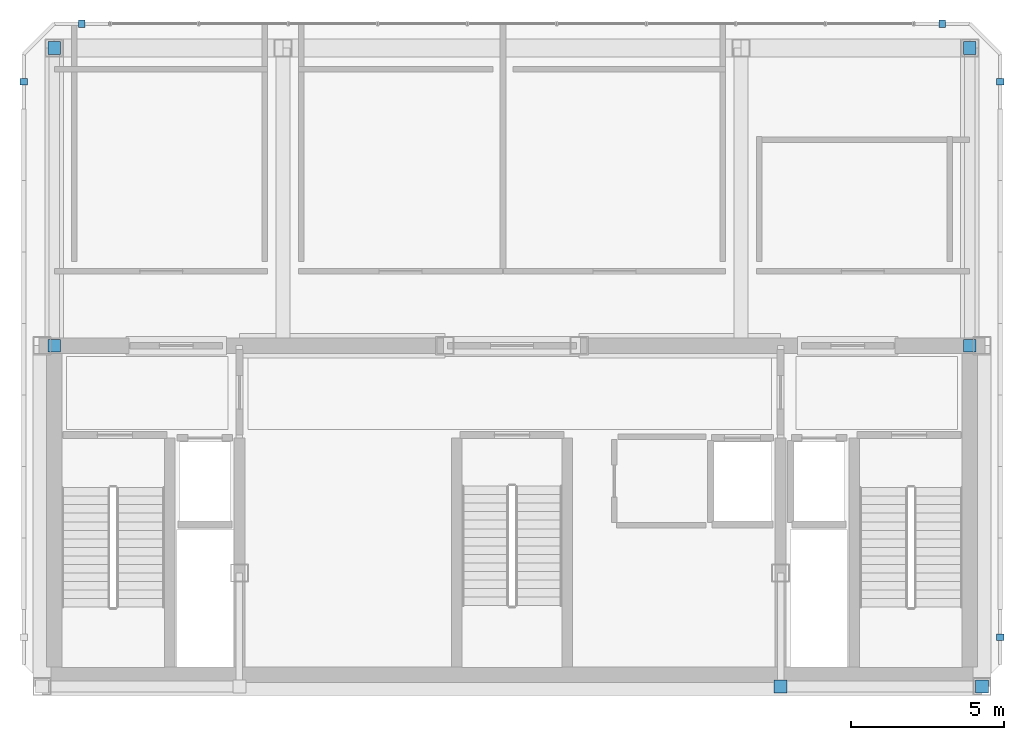
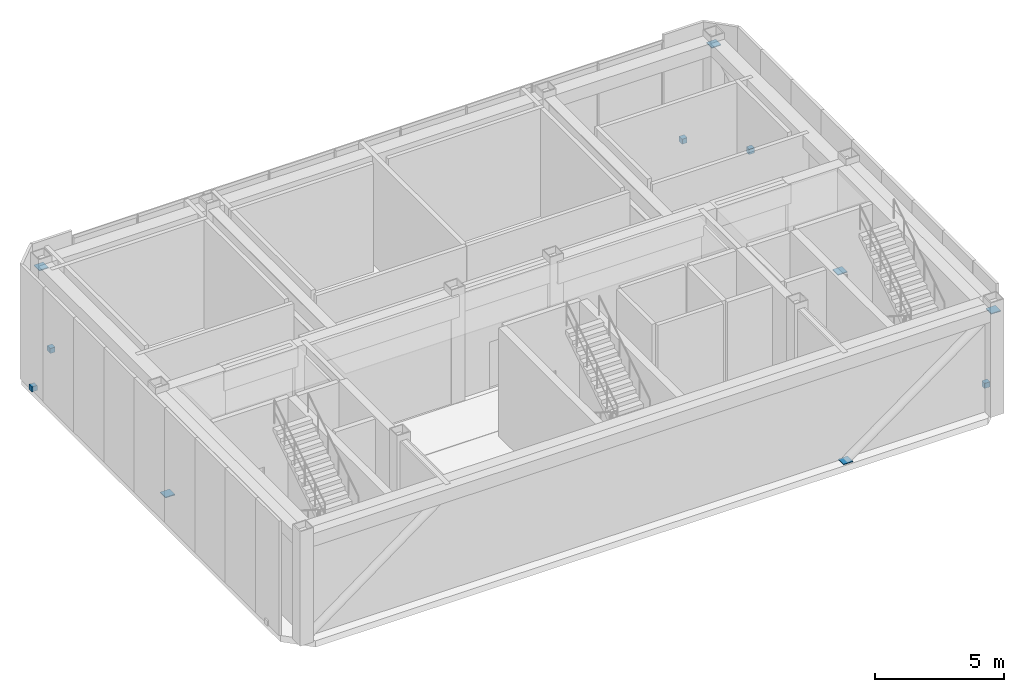
# One storey, part 9 of 10: 11 discrete accessories.
"""IFC4 building model written with IfcOpenShell, lengths in metres."""

from ifc_helpers import new_model, si_unit, direction, frame, origin, origin_2d, place, context, subcontext, project, spatial, rectangle, extrude, material, type_object, element, save


model = new_model("IFC4")

# Units and contexts
model_context = context("Model", 3, precision=1e-05, world=origin(), true_north=direction((0.0, 1.0)))
body_context = subcontext(model_context, "Body", "Model", "MODEL_VIEW")
ifc_project = project(units=[si_unit("LENGTHUNIT", "METRE"), si_unit("AREAUNIT", "SQUARE_METRE"), si_unit("VOLUMEUNIT", "CUBIC_METRE"), si_unit("PLANEANGLEUNIT", "RADIAN"), si_unit("MASSUNIT", "GRAM", prefix="KILO")], contexts=[model_context])

# Site, building, storey
site_placement = place(None, origin())
site = spatial("IfcSite", under=ifc_project, at=site_placement, CompositionType="ELEMENT")
building_placement = place(site_placement, origin())
building = spatial("IfcBuilding", under=site, at=building_placement, Name="Ventersveld Concourse Tower", CompositionType="ELEMENT")
storey_placement = place(building_placement, frame((0.0, 0.0, 382.85009765625)))
storey = spatial("IfcBuildingStorey", under=building, at=storey_placement, Name="L93", CompositionType="ELEMENT", Elevation=382.85009765625)

# Discrete accessories
ifc_material = material(Name="Structural steel S355J2", Category="steel")
discrete_accessory_type_1 = type_object("IfcDiscreteAccessoryType", Name="BRK-FACADE-150", PredefinedType="BRACKET", material=ifc_material)
for number, where, z_axis, x_axis, name in (
    (1, (44.75, 1.89990234375, 0.0), (0.0, 0.0, 1.0), (0.0, 1.0, 0.0), "L93 Crown Cladding Support Bracket E3-P1"),
    (2, (44.75, 20.10009765625, 0.0), (0.0, 0.0, 1.0), (0.0, 1.0, 0.0), "L93 Crown Cladding Support Bracket E3-P2"),
    (3, (42.85009765625, 22.0, 0.0), (0.0, 0.0, 1.0), (-1.0, 0.0, 0.0), "L93 Crown Cladding Support Bracket E5-P1"),
    (4, (14.64990234375, 22.0, 0.0), (0.0, 0.0, 1.0), (-1.0, 0.0, 0.0), "L93 Crown Cladding Support Bracket E5-P2"),
    (5, (12.75, 20.10009765625, 0.0), (0.0, 0.0, 1.0), (0.0, -1.0, 0.0), "L93 Crown Cladding Support Bracket E7-P1"),
):
    element("IfcDiscreteAccessory", number, at=place(storey_placement, frame(where, z_axis=z_axis, x_axis=x_axis)), inside=storey, type_object=discrete_accessory_type_1, Name=name, PredefinedType="BRACKET", context=body_context, shape_type="SweptSolid", body=[
        extrude(rectangle(XDim=0.219970703125, YDim=0.239990234375, at=origin_2d()), origin(), (0.0, 0.0, 1.0), 0.239990234375),
    ])
discrete_accessory_type_2 = type_object("IfcDiscreteAccessoryType", Name="CONN-BRACE-ECP1", PredefinedType="BRACKET", material=ifc_material)
for number, where, z_axis, x_axis, name in (
    (6, (37.550048828125, 0.280029296875, -0.02001953125), (0.0, 0.0, 1.0), (1.0, 0.0, 0.0), "L93 Steel Brace End Connection Plate ECP1-0183"),
    (7, (44.14990234375, 0.280029296875, 4.77978515625), (0.0, 0.0, 1.0), (1.0, 0.0, 0.0), "L93 Steel Brace End Connection Plate ECP1-0184"),
    (8, (13.75, 11.449951171875, -0.02001953125), (0.0, 0.0, 1.0), (1.0, 0.0, 0.0), "L93 Steel Brace End Connection Plate ECP1-0185"),
    (9, (13.75, 21.199951171875, 4.77978515625), (0.0, 0.0, 1.0), (1.0, 0.0, 0.0), "L93 Steel Brace End Connection Plate ECP1-0186"),
    (10, (43.75, 11.449951171875, -0.02001953125), (0.0, 0.0, 1.0), (1.0, 0.0, 0.0), "L93 Steel Brace End Connection Plate ECP1-0187"),
    (11, (43.75, 21.199951171875, 4.77978515625), (0.0, 0.0, 1.0), (1.0, 0.0, 0.0), "L93 Steel Brace End Connection Plate ECP1-0188"),
):
    element("IfcDiscreteAccessory", number, at=place(storey_placement, frame(where, z_axis=z_axis, x_axis=x_axis)), inside=storey, type_object=discrete_accessory_type_2, Name=name, PredefinedType="BRACKET", context=body_context, shape_type="SweptSolid", body=[
        extrude(rectangle(XDim=0.419921875, YDim=0.419921875, at=origin_2d()), origin(), (0.0, 0.0, 1.0), 0.0400390625),
    ])

save(model, "model.ifc")
